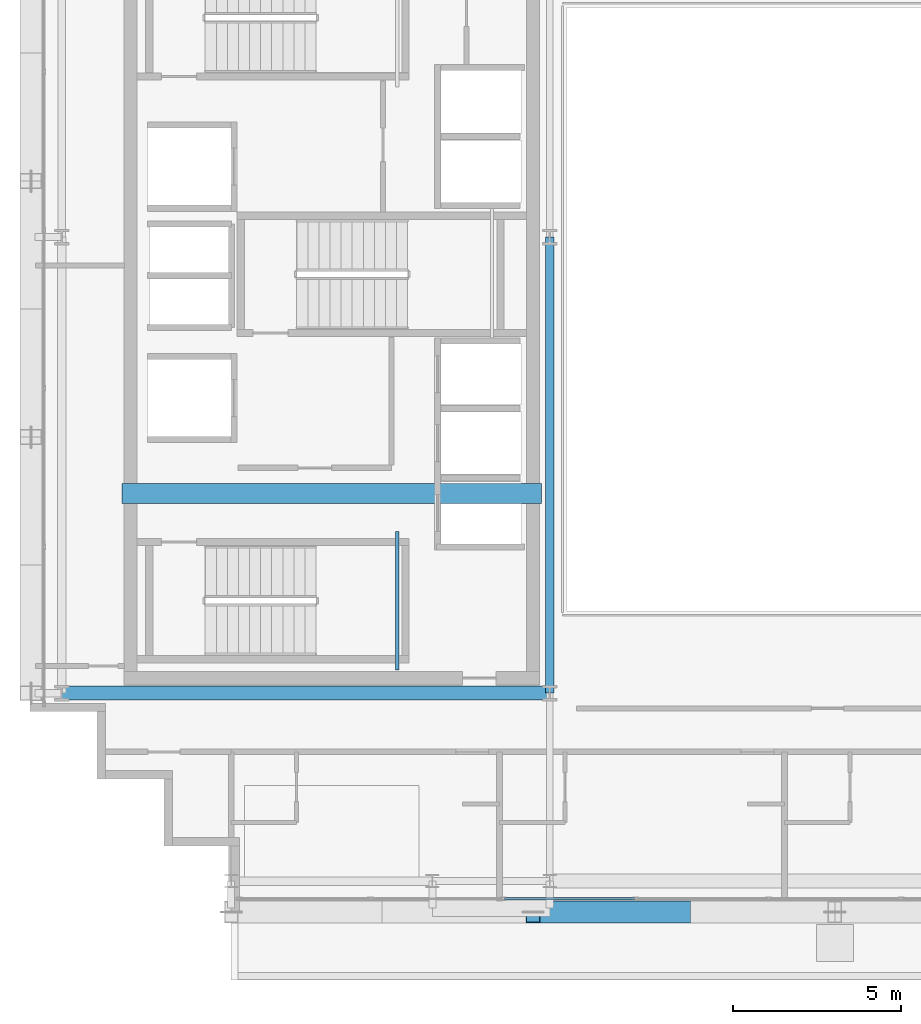
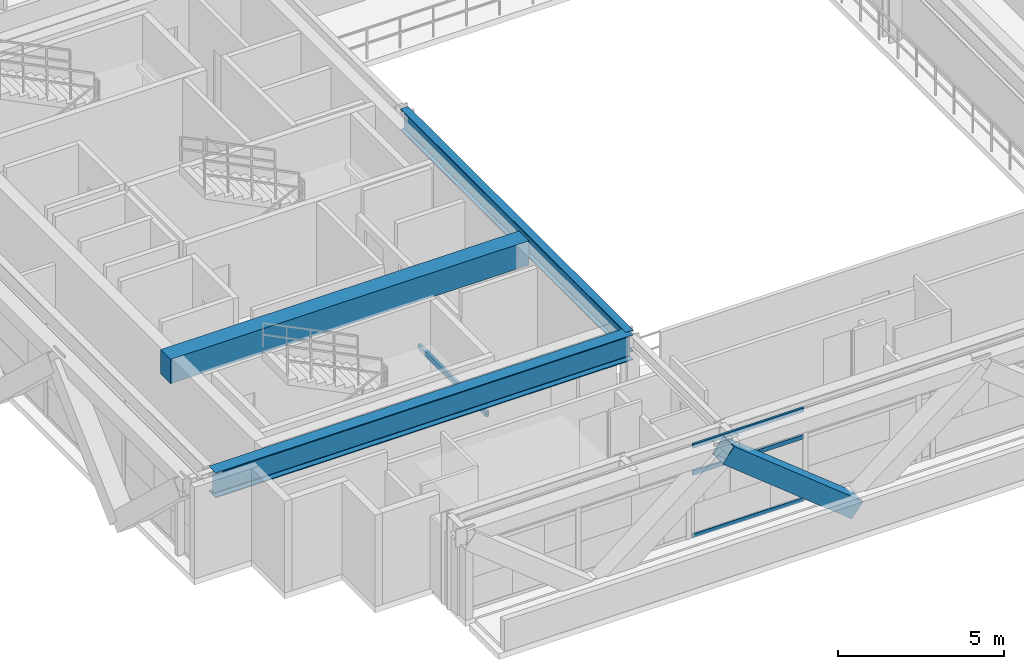
# One storey, part 4 of 27: 4 beams, 4 members, 1 element without a shape of its own.
"""IFC4 building model written with IfcOpenShell, lengths in metres."""

from ifc_helpers import new_model, si_unit, direction, frame, origin, origin_2d, place, context, subcontext, project, spatial, rectangle, hollow_rectangle, i_section, extrude, source, transform, mapped, material, layer, layer_set, material_profile, profile_set, type_object, element, aggregate, save


model = new_model("IFC4")

# Units and contexts
model_context = context("Model", 3, precision=1e-05, world=origin(), true_north=direction((0.0, 1.0)))
body_context = subcontext(model_context, "Body", "Model", "MODEL_VIEW")
ifc_project = project(units=[si_unit("LENGTHUNIT", "METRE"), si_unit("AREAUNIT", "SQUARE_METRE"), si_unit("VOLUMEUNIT", "CUBIC_METRE"), si_unit("PLANEANGLEUNIT", "RADIAN"), si_unit("MASSUNIT", "GRAM", prefix="KILO")], contexts=[model_context])

# Site, building, storey
site_placement = place(None, origin())
site = spatial("IfcSite", under=ifc_project, at=site_placement, CompositionType="ELEMENT")
building_placement = place(site_placement, origin())
building = spatial("IfcBuilding", under=site, at=building_placement, Name="Ocotamira Hotel", CompositionType="ELEMENT")
storey_placement = place(building_placement, frame((0.0, 0.0, 232.800048828125)))
storey = spatial("IfcBuildingStorey", under=building, at=storey_placement, Name="L58", CompositionType="ELEMENT", Elevation=232.800048828125)

# Beams
ifc_material_1 = material(Name="Concrete C50/60", Category="concrete")
ifc_material_profile_1 = material_profile(ifc_material_1, rectangle(XDim=0.60009765625, YDim=0.89990234375, at=origin_2d()), Name="RC600X900")
ifc_profile_set_1 = profile_set([ifc_material_profile_1], Name="Concrete C50/60")
beam_type_1 = type_object("IfcBeamType", Name="BM-LINK-RC600", PredefinedType="LINTEL", material=ifc_profile_set_1)
shared_shape_1 = source(origin(), body_context, "Body", "SweptSolid", [
    extrude(rectangle(XDim=0.60009765625, YDim=0.89990234375, at=origin_2d()), origin(), (0.0, 0.0, 1.0), 12.5),
])
beam_1_placement = place(storey_placement, frame((10.75, 20.5, 2.929931640625), z_axis=(1.0, 0.0, 0.0), x_axis=(0.0, 1.0, 0.0)))
element("IfcBeam", 1, at=beam_1_placement, inside=storey, type_object=beam_type_1, Name="L58 West Core Coupling Beam", PredefinedType="LINTEL", context=body_context, shape_type="MappedRepresentation", body=[
    mapped(shared_shape_1, transform((0.0, 0.0, 0.0), scale=1.0)),
])
ifc_material_2 = material(Name="Steel ASTM A500 Grade C", Category="steel")
ifc_material_profile_2 = material_profile(ifc_material_2, hollow_rectangle(XDim=0.10009765625, YDim=0.199951171875, WallThickness=0.008056640625, at=origin_2d()), Name="HSS200X100X8")
ifc_profile_set_2 = profile_set([ifc_material_profile_2], Name="Steel ASTM A500 Grade C")
beam_type_2 = type_object("IfcBeamType", Name="BM-STLDG-HSS200", PredefinedType="BEAM", material=ifc_profile_set_2)
shared_shape_2 = source(origin(), body_context, "Body", "SweptSolid", [
    extrude(hollow_rectangle(XDim=0.10009765625, YDim=0.199951171875, WallThickness=0.008056640625, at=origin_2d()), origin(), (0.0, 0.0, 1.0), 4.1201171875),
])
beam_2_placement = place(storey_placement, frame((18.949951171875, 15.25, 1.5), z_axis=(0.0, 1.0, 0.0), x_axis=(-1.0, 0.0, 0.0)))
element("IfcBeam", 2, at=beam_2_placement, inside=storey, type_object=beam_type_2, Name="L58 Stair ST-1 Landing Bearer 1", PredefinedType="BEAM", context=body_context, shape_type="MappedRepresentation", body=[
    mapped(shared_shape_2, transform((0.0, 0.0, 0.0), scale=1.0)),
])
ifc_material_3 = material(Name="Steel ASTM A992 Grade 50", Category="steel")
ifc_material_profile_3 = material_profile(ifc_material_3, i_section(OverallWidth=0.41796875, OverallDepth=0.927001953125, WebThickness=0.019287109375, FlangeThickness=0.031982421875, FilletRadius=0.02392578125, at=origin_2d()), Name="W36X231")
ifc_profile_set_3 = profile_set([ifc_material_profile_3], Name="Steel ASTM A992 Grade 50")
beam_type_3 = type_object("IfcBeamType", Name="BM-GIRD-W36X231", PredefinedType="BEAM", material=ifc_profile_set_3)
shared_shape_3 = source(origin(), body_context, "Body", "SweptSolid", [
    extrude(i_section(OverallWidth=0.41796875, OverallDepth=0.927001953125, WebThickness=0.019287109375, FlangeThickness=0.031982421875, FilletRadius=0.02392578125, at=origin_2d()), origin(), (0.0, 0.0, 1.0), 14.550048828125),
])
beam_3_placement = place(storey_placement, frame((8.949951171875, 14.550048828125, 2.91650390625), z_axis=(1.0, 0.0, 0.0), x_axis=(0.0, 1.0, 0.0)))
element("IfcBeam", 3, at=beam_3_placement, inside=storey, type_object=beam_type_3, Name="L58 Girder Y14.55 X8.95-23.5", PredefinedType="BEAM", context=body_context, shape_type="MappedRepresentation", body=[
    mapped(shared_shape_3, transform((0.0, 0.0, 0.0), scale=1.0)),
])
ifc_material_profile_4 = material_profile(ifc_material_3, i_section(OverallWidth=0.26611328125, OverallDepth=0.779052734375, WebThickness=0.0166015625, FlangeThickness=0.030029296875, FilletRadius=0.01806640625, at=origin_2d()), Name="W30X148")
ifc_profile_set_4 = profile_set([ifc_material_profile_4], Name="Steel ASTM A992 Grade 50")
beam_type_4 = type_object("IfcBeamType", Name="BM-GIRD-W30X148", PredefinedType="BEAM", material=ifc_profile_set_4)
shared_shape_4 = source(origin(), body_context, "Body", "SweptSolid", [
    extrude(i_section(OverallWidth=0.26611328125, OverallDepth=0.779052734375, WebThickness=0.0166015625, FlangeThickness=0.030029296875, FilletRadius=0.01806640625, at=origin_2d()), origin(), (0.0, 0.0, 1.0), 13.599853515625),
])
beam_4_placement = place(storey_placement, frame((23.5, 14.550048828125, 2.990478515625), z_axis=(0.0, 1.0, 0.0), x_axis=(-1.0, 0.0, 0.0)))
element("IfcBeam", 4, at=beam_4_placement, inside=storey, type_object=beam_type_4, Name="L58 Beam X23.5 Y14.55-28.15", PredefinedType="BEAM", context=body_context, shape_type="MappedRepresentation", body=[
    mapped(shared_shape_4, transform((0.0, 0.0, 0.0), scale=1.0)),
])

# Member
ifc_material_4 = material(Name="Pale-metal coated steel ASTM A913 Grade 65", Category="steel")
ifc_material_profile_5 = material_profile(ifc_material_4, hollow_rectangle(XDim=0.64990234375, YDim=0.64990234375, WallThickness=0.02197265625, at=origin_2d()), Name="BOX650X650X22")
ifc_profile_set_5 = profile_set([ifc_material_profile_5], Name="Pale-metal coated steel ASTM A913 Grade 65")
member_type_1 = type_object("IfcMemberType", Name="MEM-EXO-BOX650", PredefinedType="BRACE", material=ifc_profile_set_5)
shared_shape_5 = source(origin(), body_context, "Body", "SweptSolid", [
    extrude(hollow_rectangle(XDim=0.64990234375, YDim=0.64990234375, WallThickness=0.02197265625, at=origin_2d()), origin(), (0.0, 0.0, 1.0), 5.7626953125),
])
member_1_placement = place(storey_placement, frame((27.5, 8.030029296875, -0.469970703125), z_axis=(-0.780881208953, 0.0, 0.624679547852), x_axis=(0.0, -1.0, 0.0)))
element("IfcMember", 5, at=member_1_placement, inside=storey, type_object=member_type_1, Name="L58 Exoskeleton Diagrid S1.1", PredefinedType="BRACE", context=body_context, shape_type="MappedRepresentation", body=[
    mapped(shared_shape_5, transform((0.0, 0.0, 0.0), scale=1.0)),
])

# Curtain wall, members
ifc_material_5 = material(Name="Anodised pale-metal aluminium and solar glass", Category="aluminium")
ifc_layer = layer(ifc_material_5, 0.239990234375)
ifc_layer_set = layer_set([ifc_layer], Name="Anodised pale-metal aluminium and solar glass")
curtain_wall_type = type_object("IfcCurtainWallType", Name="CW-SYS5-SKY", PredefinedType="NOTDEFINED", material=ifc_layer_set)
curtain_wall_placement = place(storey_placement, origin())
curtain_wall = element("IfcCurtainWall", 6, at=curtain_wall_placement, inside=storey, type_object=curtain_wall_type, Name="L58 Curtain Wall CW-5 CW-L58-S1", PredefinedType="NOTDEFINED")
ifc_material_6 = material(Name="Anodised pale-metal aluminium 6063-T6", Category="aluminium")
ifc_material_profile_6 = material_profile(ifc_material_6, hollow_rectangle(XDim=0.074951171875, YDim=0.14990234375, WallThickness=0.006103515625, at=origin_2d()), Name="HSS150X75X6")
ifc_profile_set_6 = profile_set([ifc_material_profile_6], Name="Anodised pale-metal aluminium 6063-T6")
member_type_2 = type_object("IfcMemberType", Name="CWT-150X75", PredefinedType="USERDEFINED", material=ifc_profile_set_6)
shared_shape_6 = source(origin(), body_context, "Body", "SweptSolid", [
    extrude(hollow_rectangle(XDim=0.074951171875, YDim=0.14990234375, WallThickness=0.006103515625, at=origin_2d()), origin(), (0.0, 0.0, 1.0), 3.87548828125),
])
member_2_placement = place(storey_placement, frame((22.151123046875, 8.419921875, 0.037353515625), z_axis=(1.0, 0.0, 0.0), x_axis=(0.0, 1.0, 0.0)))
member_2 = element("IfcMember", 7, at=member_2_placement, type_object=member_type_2, Name="CW-5 transom 3.1", ObjectType="TRANSOM", PredefinedType="USERDEFINED", context=body_context, shape_type="MappedRepresentation", body=[
    mapped(shared_shape_6, transform((0.0, 0.0, 0.0), scale=1.0)),
])
member_3_placement = place(storey_placement, frame((22.151123046875, 8.419921875, 2.349853515625), z_axis=(1.0, 0.0, 0.0), x_axis=(0.0, 1.0, 0.0)))
member_3 = element("IfcMember", 8, at=member_3_placement, type_object=member_type_2, Name="CW-5 transom 3.2", ObjectType="TRANSOM", PredefinedType="USERDEFINED", context=body_context, shape_type="MappedRepresentation", body=[
    mapped(shared_shape_6, transform((0.0, 0.0, 0.0), scale=1.0)),
])
member_4_placement = place(storey_placement, frame((22.151123046875, 8.419921875, 3.342529296875), z_axis=(1.0, 0.0, 0.0), x_axis=(0.0, 1.0, 0.0)))
member_4 = element("IfcMember", 9, at=member_4_placement, type_object=member_type_2, Name="CW-5 transom 3.3", ObjectType="TRANSOM", PredefinedType="USERDEFINED", context=body_context, shape_type="MappedRepresentation", body=[
    mapped(shared_shape_6, transform((0.0, 0.0, 0.0), scale=1.0)),
])
aggregate(curtain_wall, [member_2, member_3, member_4])

save(model, "model.ifc")
